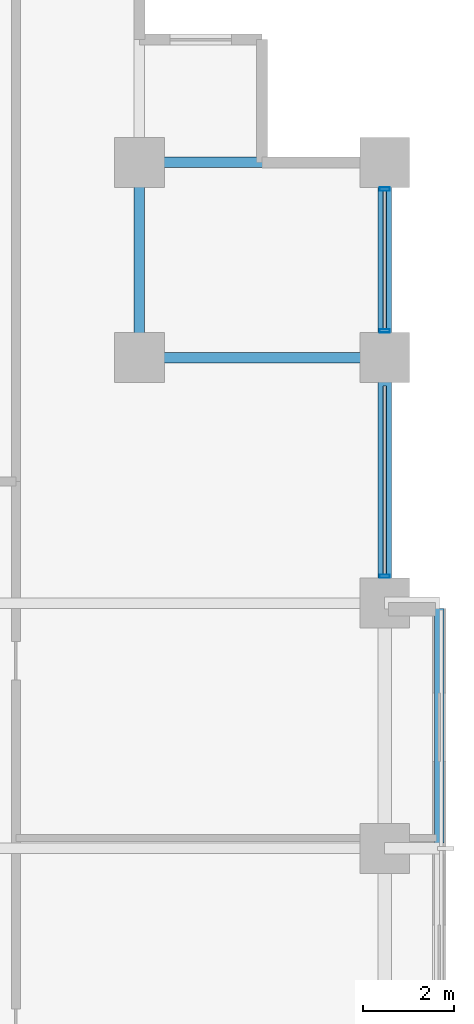
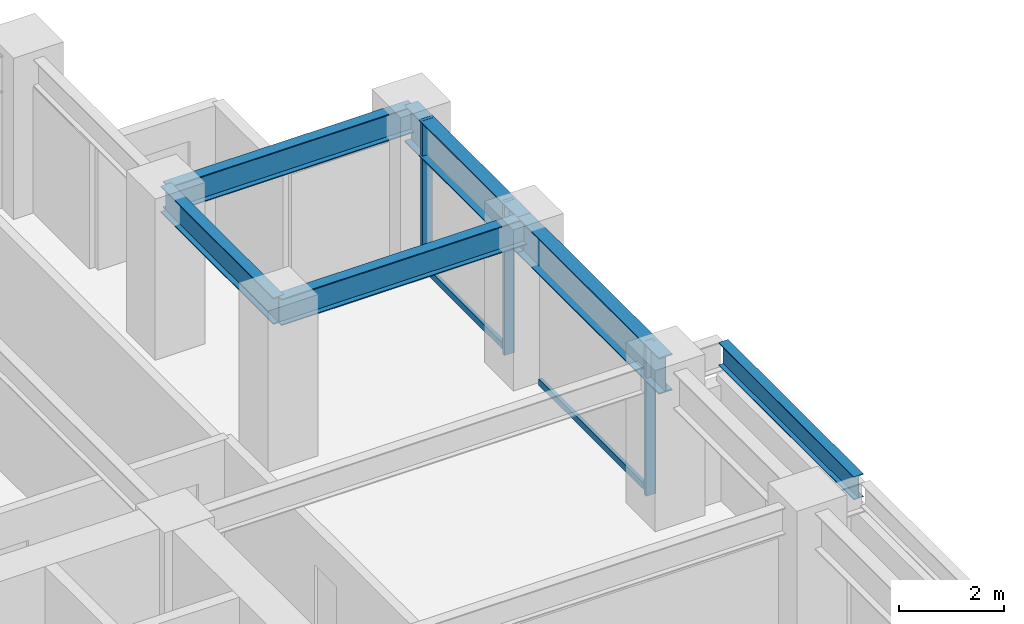
# One storey, part 16 of 25: 6 beams, 5 members, 1 element without a shape of its own.
"""IFC4 building model written with IfcOpenShell, lengths in metres."""

from ifc_helpers import new_model, si_unit, direction, frame, origin, origin_2d, place, context, subcontext, project, spatial, hollow_rectangle, i_section, extrude, material, layer, layer_set, material_profile, profile_set, type_object, element, aggregate, save


model = new_model("IFC4")

# Units and contexts
model_context = context("Model", 3, precision=1e-05, world=origin(), true_north=direction((0.0, 1.0)))
body_context = subcontext(model_context, "Body", "Model", "MODEL_VIEW")
ifc_project = project(units=[si_unit("LENGTHUNIT", "METRE"), si_unit("AREAUNIT", "SQUARE_METRE"), si_unit("VOLUMEUNIT", "CUBIC_METRE"), si_unit("PLANEANGLEUNIT", "RADIAN"), si_unit("MASSUNIT", "GRAM", prefix="KILO")], contexts=[model_context])

# Site, building, storey
site_placement = place(None, origin())
site = spatial("IfcSite", under=ifc_project, at=site_placement, CompositionType="ELEMENT")
building_placement = place(site_placement, origin())
building = spatial("IfcBuilding", under=site, at=building_placement, Name="Surkhivell Harbour Commons", CompositionType="ELEMENT")
storey_placement = place(building_placement, frame((0.0, 0.0, 98.25)))
storey = spatial("IfcBuildingStorey", under=building, at=storey_placement, Name="L25", CompositionType="ELEMENT", Elevation=98.25)

# Beams
ifc_material_1 = material(Name="Steel S355", Category="steel")
ifc_material_profile_1 = material_profile(ifc_material_1, i_section(OverallWidth=0.2099609375, OverallDepth=0.537109375, WebThickness=0.0107421875, FlangeThickness=0.017333984375, at=origin_2d()), Name="UB533x210x101")
ifc_profile_set_1 = profile_set([ifc_material_profile_1], Name="Steel S355")
beam_type_1 = type_object("IfcBeamType", Name="BM-GRD-533B", PredefinedType="BEAM", material=ifc_profile_set_1)
beam_1_placement = place(storey_placement, frame((22.800048828125, 5.52197265625, 3.301513671875), z_axis=(0.0, 1.0, 0.0), x_axis=(-1.0, 0.0, 0.0)))
element("IfcBeam", 1, at=beam_1_placement, inside=storey, type_object=beam_type_1, Name="L25 Box Rim Spandrel (22.8,5.4)", PredefinedType="BEAM", context=body_context, shape_type="SweptSolid", body=[
    extrude(i_section(OverallWidth=0.2099609375, OverallDepth=0.537109375, WebThickness=0.0107421875, FlangeThickness=0.017333984375, at=origin_2d()), origin(), (0.0, 0.0, 1.0), 5.156005859375),
])
ifc_material_profile_2 = material_profile(ifc_material_1, i_section(OverallWidth=0.22998046875, OverallDepth=0.616943359375, WebThickness=0.01318359375, FlangeThickness=0.022216796875, at=origin_2d()), Name="UB610x229x140")
ifc_profile_set_2 = profile_set([ifc_material_profile_2], Name="Steel S355")
beam_type_2 = type_object("IfcBeamType", Name="BM-GRD-610B", PredefinedType="BEAM", material=ifc_profile_set_2)
beam_2_placement = place(storey_placement, frame((16.199951171875, 16.199951171875, 3.261474609375), z_axis=(0.0, 1.0, 0.0), x_axis=(-1.0, 0.0, 0.0)))
element("IfcBeam", 2, at=beam_2_placement, inside=storey, type_object=beam_type_2, Name="L25 Floor Girder (16.2,16.2)", PredefinedType="BEAM", context=body_context, shape_type="SweptSolid", body=[
    extrude(i_section(OverallWidth=0.22998046875, OverallDepth=0.616943359375, WebThickness=0.01318359375, FlangeThickness=0.022216796875, at=origin_2d()), origin(), (0.0, 0.0, 1.0), 4.300048828125),
])
for number, where, z_axis, x_axis, name in (
    (3, (16.199951171875, 16.199951171875, 3.261474609375), (1.0, 0.0, 0.0), (0.0, 1.0, 0.0), "L25 Floor Girder (16.2,16.2)"),
    (4, (16.199951171875, 20.5, 3.261474609375), (1.0, 0.0, 0.0), (0.0, 1.0, 0.0), "L25 Floor Girder (16.2,20.5)"),
):
    element("IfcBeam", number, at=place(storey_placement, frame(where, z_axis=z_axis, x_axis=x_axis)), inside=storey, type_object=beam_type_2, Name=name, PredefinedType="BEAM", context=body_context, shape_type="SweptSolid", body=[
        extrude(i_section(OverallWidth=0.22998046875, OverallDepth=0.616943359375, WebThickness=0.01318359375, FlangeThickness=0.022216796875, at=origin_2d()), origin(), (0.0, 0.0, 1.0), 5.400146484375),
    ])
ifc_material_2 = material(Name="Steel S460", Category="steel")
ifc_material_profile_3 = material_profile(ifc_material_2, i_section(OverallWidth=0.2939453125, OverallDepth=0.85107421875, WebThickness=0.01611328125, FlangeThickness=0.02685546875, at=origin_2d()), Name="UB838x292x226")
ifc_profile_set_3 = profile_set([ifc_material_profile_3], Name="Steel S460")
beam_type_3 = type_object("IfcBeamType", Name="BM-SPN-838", PredefinedType="SPANDREL", material=ifc_profile_set_3)
beam_3_placement = place(storey_placement, frame((21.60009765625, 10.800048828125, 3.14453125), z_axis=(0.0, 1.0, 0.0), x_axis=(-1.0, 0.0, 0.0)))
element("IfcBeam", 5, at=beam_3_placement, inside=storey, type_object=beam_type_3, Name="L25 Tube Spandrel (21.6,10.8)", PredefinedType="SPANDREL", context=body_context, shape_type="SweptSolid", body=[
    extrude(i_section(OverallWidth=0.2939453125, OverallDepth=0.85107421875, WebThickness=0.01611328125, FlangeThickness=0.02685546875, at=origin_2d()), origin(), (0.0, 0.0, 1.0), 5.39990234375),
])
beam_4_placement = place(storey_placement, frame((21.60009765625, 16.199951171875, 3.14453125), z_axis=(0.0, 1.0, 0.0), x_axis=(-1.0, 0.0, 0.0)))
element("IfcBeam", 6, at=beam_4_placement, inside=storey, type_object=beam_type_3, Name="L25 Tube Spandrel (21.6,16.2)", PredefinedType="SPANDREL", context=body_context, shape_type="SweptSolid", body=[
    extrude(i_section(OverallWidth=0.2939453125, OverallDepth=0.85107421875, WebThickness=0.01611328125, FlangeThickness=0.02685546875, at=origin_2d()), origin(), (0.0, 0.0, 1.0), 4.300048828125),
])

# Curtain wall, members
ifc_material_3 = material(Name="Anodised pale-metal aluminium and insulated glazing", Category="aluminium")
ifc_layer = layer(ifc_material_3, 0.205078125)
ifc_layer_set = layer_set([ifc_layer], Name="Anodised pale-metal aluminium and insulated glazing")
curtain_wall_type = type_object("IfcCurtainWallType", Name="CW-SYS-Z2", PredefinedType="NOTDEFINED", material=ifc_layer_set)
curtain_wall_placement = place(storey_placement, origin())
curtain_wall = element("IfcCurtainWall", 7, at=curtain_wall_placement, inside=storey, type_object=curtain_wall_type, Name="L25 Curtain Wall CW-L25-E02R2", PredefinedType="NOTDEFINED")
ifc_material_4 = material(Name="Anodised pale-metal aluminium alloy 6063-T6", Category="aluminium")
ifc_material_profile_4 = material_profile(ifc_material_4, hollow_rectangle(XDim=0.074951171875, YDim=0.219970703125, WallThickness=0.00390625, at=origin_2d()), Name="ALU-MULL-75x220")
ifc_profile_set_4 = profile_set([ifc_material_profile_4], Name="Anodised pale-metal aluminium alloy 6063-T6")
member_type_1 = type_object("IfcMemberType", Name="CWM-220", PredefinedType="MULLION", material=ifc_profile_set_4)
member_1_placement = place(storey_placement, frame((21.60009765625, 11.389404296875, 0.0), z_axis=(0.0, 0.0, 1.0), x_axis=(0.0, 1.0, 0.0)))
member_1 = element("IfcMember", 8, at=member_1_placement, type_object=member_type_1, Name="CW-Z2 mullion 1", PredefinedType="MULLION", context=body_context, shape_type="SweptSolid", body=[
    extrude(hollow_rectangle(XDim=0.074951171875, YDim=0.219970703125, WallThickness=0.00390625, at=origin_2d()), origin(), (0.0, 0.0, 1.0), 3.570068359375),
])
member_2_placement = place(storey_placement, frame((21.60009765625, 16.78955078125, 0.0), z_axis=(0.0, 0.0, 1.0), x_axis=(0.0, 1.0, 0.0)))
member_2 = element("IfcMember", 9, at=member_2_placement, type_object=member_type_1, Name="CW-Z2 mullion 2", PredefinedType="MULLION", context=body_context, shape_type="SweptSolid", body=[
    extrude(hollow_rectangle(XDim=0.074951171875, YDim=0.219970703125, WallThickness=0.00390625, at=origin_2d()), origin(), (0.0, 0.0, 1.0), 3.570068359375),
])
member_3_placement = place(storey_placement, frame((21.60009765625, 19.910400390625, 0.0), z_axis=(0.0, 0.0, 1.0), x_axis=(0.0, 1.0, 0.0)))
member_3 = element("IfcMember", 10, at=member_3_placement, type_object=member_type_1, Name="CW-Z2 mullion 3", PredefinedType="MULLION", context=body_context, shape_type="SweptSolid", body=[
    extrude(hollow_rectangle(XDim=0.074951171875, YDim=0.219970703125, WallThickness=0.00390625, at=origin_2d()), origin(), (0.0, 0.0, 1.0), 3.570068359375),
])
ifc_material_profile_5 = material_profile(ifc_material_4, hollow_rectangle(XDim=0.074951171875, YDim=0.14990234375, WallThickness=0.00341796875, at=origin_2d()), Name="ALU-TRAN-75x150")
ifc_profile_set_5 = profile_set([ifc_material_profile_5], Name="Anodised pale-metal aluminium alloy 6063-T6")
member_type_2 = type_object("IfcMemberType", Name="CWT-150", PredefinedType="USERDEFINED", material=ifc_profile_set_5)
member_4_placement = place(storey_placement, frame((21.60009765625, 11.427001953125, 0.074951171875), z_axis=(0.0, 1.0, 0.0), x_axis=(-1.0, 0.0, 0.0)))
member_4 = element("IfcMember", 11, at=member_4_placement, type_object=member_type_2, Name="CW-Z2 transom 1.1", ObjectType="TRANSOM", PredefinedType="USERDEFINED", context=body_context, shape_type="SweptSolid", body=[
    extrude(hollow_rectangle(XDim=0.074951171875, YDim=0.14990234375, WallThickness=0.00341796875, at=origin_2d()), origin(), (0.0, 0.0, 1.0), 4.14599609375),
])
member_5_placement = place(storey_placement, frame((21.60009765625, 16.826904296875, 0.074951171875), z_axis=(0.0, 1.0, 0.0), x_axis=(-1.0, 0.0, 0.0)))
member_5 = element("IfcMember", 12, at=member_5_placement, type_object=member_type_2, Name="CW-Z2 transom 2.1", ObjectType="TRANSOM", PredefinedType="USERDEFINED", context=body_context, shape_type="SweptSolid", body=[
    extrude(hollow_rectangle(XDim=0.074951171875, YDim=0.14990234375, WallThickness=0.00341796875, at=origin_2d()), origin(), (0.0, 0.0, 1.0), 3.046142578125),
])
aggregate(curtain_wall, [member_1, member_4, member_2, member_3, member_5])

save(model, "model.ifc")
